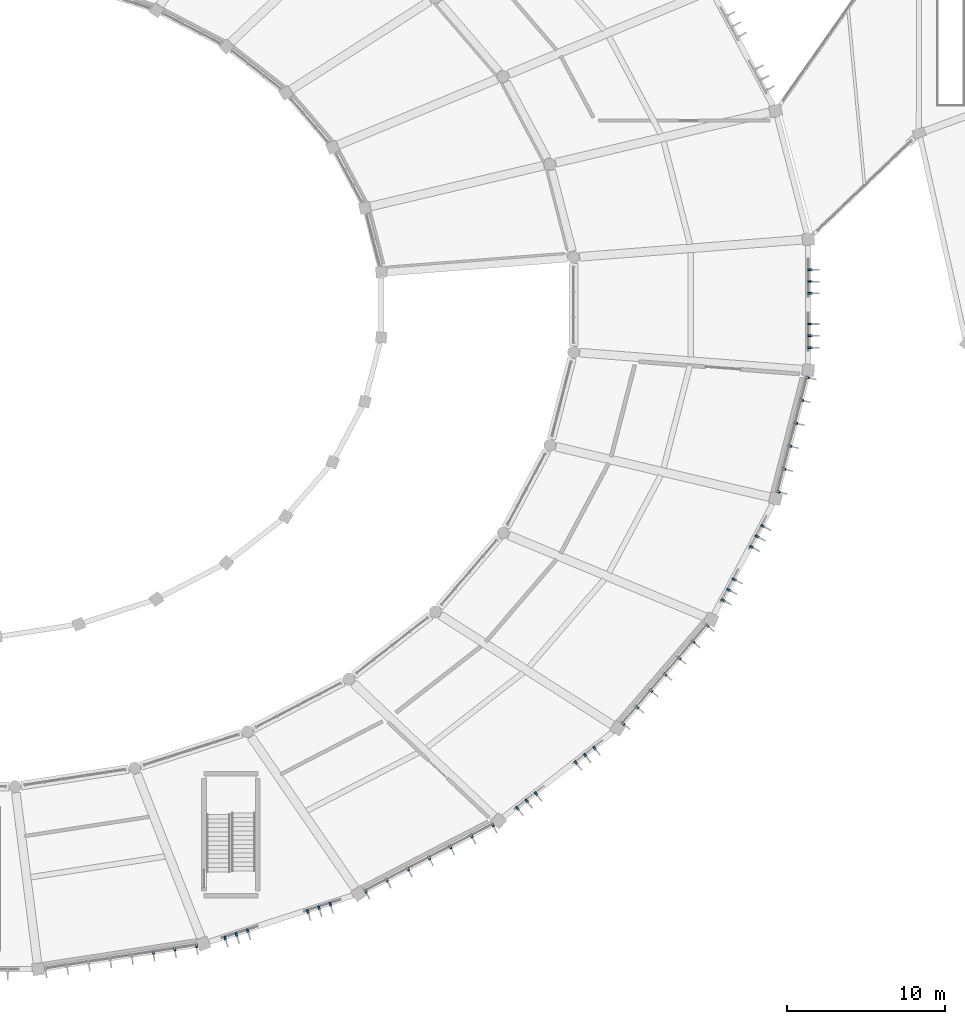
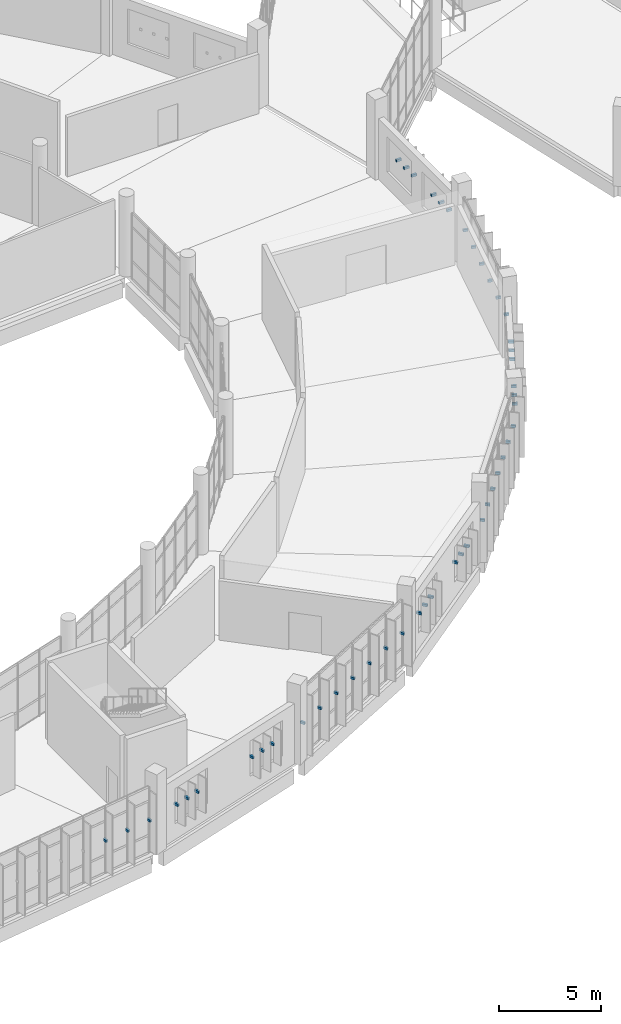
# One storey, part 141 of 179: 47 discrete accessories.
"""IFC4 building model written with IfcOpenShell, lengths in metres."""

from ifc_helpers import new_model, si_unit, direction, frame, origin, origin_2d, place, context, subcontext, project, spatial, rectangle, extrude, material, type_object, element, save


model = new_model("IFC4")

# Units and contexts
model_context = context("Model", 3, precision=1e-05, world=origin(), true_north=direction((0.0, 1.0)))
body_context = subcontext(model_context, "Body", "Model", "MODEL_VIEW")
ifc_project = project(units=[si_unit("LENGTHUNIT", "METRE"), si_unit("AREAUNIT", "SQUARE_METRE"), si_unit("VOLUMEUNIT", "CUBIC_METRE"), si_unit("PLANEANGLEUNIT", "RADIAN"), si_unit("MASSUNIT", "GRAM", prefix="KILO")], contexts=[model_context])

# Site, building, storey
site_placement = place(None, origin())
site = spatial("IfcSite", under=ifc_project, at=site_placement, CompositionType="ELEMENT")
building_placement = place(site_placement, origin())
building = spatial("IfcBuilding", under=site, at=building_placement, Name="Corvandel Quay Wholesale Market", CompositionType="ELEMENT")
storey_placement = place(building_placement, frame((0.0, 0.0, 6.0)))
storey = spatial("IfcBuildingStorey", under=building, at=storey_placement, Name="L01", CompositionType="ELEMENT", Elevation=6.0)

# Discrete accessories
ifc_material = material(Name="Austenitic stainless steel Grade 316", Category="steel")
discrete_accessory_type = type_object("IfcDiscreteAccessoryType", Name="Stainless Solar Fin Fixing Bracket BRK01", PredefinedType="USERDEFINED", material=ifc_material)
for number, where, z_axis, x_axis, name in (
    (1, (126.589111328125, 1.064208984375, 1.9052734375), (0.0, 0.0, 1.0), (-0.152813355565, 0.98825506746, 0.0), "Fin Bracket 0155"),
    (2, (127.9521484375, 1.27490234375, 1.9052734375), (0.0, 0.0, 1.0), (-0.152813355565, 0.98825506746, 0.0), "Fin Bracket 0156"),
    (3, (129.3154296875, 1.48583984375, 1.9052734375), (0.0, 0.0, 1.0), (-0.152813355565, 0.98825506746, 0.0), "Fin Bracket 0157"),
):
    element("IfcDiscreteAccessory", number, at=place(storey_placement, frame(where, z_axis=z_axis, x_axis=x_axis)), inside=storey, type_object=discrete_accessory_type, Name=name, ObjectType="BRACKET", PredefinedType="USERDEFINED", context=body_context, shape_type="SweptSolid", body=[
        extrude(rectangle(XDim=0.239990234375, YDim=0.1201171875, at=origin_2d()), origin(), (0.0, 0.0, 1.0), 0.139892578125),
    ])
for number, where, z_axis, x_axis, name in (
    (4, (131.13330078125, 1.9541015625, 1.93017578125), (0.0, 0.0, 1.0), (-0.306692204733, 0.951808747363, 0.0), "Fin Bracket 0173"),
    (5, (131.84716796875, 2.18408203125, 1.93017578125), (0.0, 0.0, 1.0), (-0.306692204733, 0.951808747363, 0.0), "Fin Bracket 0174"),
    (6, (132.56103515625, 2.414306640625, 1.93017578125), (0.0, 0.0, 1.0), (-0.306692204733, 0.951808747363, 0.0), "Fin Bracket 0175"),
    (7, (136.35400390625, 3.635986328125, 1.93017578125), (0.0, 0.0, 1.0), (-0.306692204733, 0.951808747363, 0.0), "Fin Bracket 0176"),
    (8, (137.06787109375, 3.865966796875, 1.93017578125), (0.0, 0.0, 1.0), (-0.306692204733, 0.951808747363, 0.0), "Fin Bracket 0177"),
    (9, (137.78173828125, 4.095947265625, 1.93017578125), (0.0, 0.0, 1.0), (-0.306692204733, 0.951808747363, 0.0), "Fin Bracket 0178"),
):
    element("IfcDiscreteAccessory", number, at=place(storey_placement, frame(where, z_axis=z_axis, x_axis=x_axis)), inside=storey, type_object=discrete_accessory_type, Name=name, ObjectType="BRACKET", PredefinedType="USERDEFINED", context=body_context, shape_type="SweptSolid", body=[
        extrude(rectangle(XDim=0.280029296875, YDim=0.1201171875, at=origin_2d()), origin(), (0.0, 0.0, 1.0), 0.139892578125),
    ])
for number, where, z_axis, x_axis, name in (
    (10, (140.006103515625, 4.934326171875, 1.9052734375), (0.0, 0.0, 1.0), (-0.461129250378, 0.887332978338, 0.0), "Fin Bracket 0189"),
    (11, (141.346923828125, 5.631103515625, 1.9052734375), (0.0, 0.0, 1.0), (-0.461129250378, 0.887332978338, 0.0), "Fin Bracket 0190"),
    (12, (142.687744140625, 6.327880859375, 1.9052734375), (0.0, 0.0, 1.0), (-0.461129250378, 0.887332978338, 0.0), "Fin Bracket 0191"),
    (13, (144.02880859375, 7.02490234375, 1.9052734375), (0.0, 0.0, 1.0), (-0.461129250378, 0.887332978338, 0.0), "Fin Bracket 0192"),
    (14, (145.36962890625, 7.7216796875, 1.9052734375), (0.0, 0.0, 1.0), (-0.461129250378, 0.887332978338, 0.0), "Fin Bracket 0193"),
    (15, (146.71044921875, 8.41845703125, 1.9052734375), (0.0, 0.0, 1.0), (-0.461129250378, 0.887332978338, 0.0), "Fin Bracket 0194"),
    (16, (148.051513671875, 9.115234375, 1.9052734375), (0.0, 0.0, 1.0), (-0.461129250378, 0.887332978338, 0.0), "Fin Bracket 0195"),
):
    element("IfcDiscreteAccessory", number, at=place(storey_placement, frame(where, z_axis=z_axis, x_axis=x_axis)), inside=storey, type_object=discrete_accessory_type, Name=name, ObjectType="BRACKET", PredefinedType="USERDEFINED", context=body_context, shape_type="SweptSolid", body=[
        extrude(rectangle(XDim=0.239990234375, YDim=0.1201171875, at=origin_2d()), origin(), (0.0, 0.0, 1.0), 0.139892578125),
    ])
for number, where, z_axis, x_axis, name in (
    (17, (149.605224609375, 10.1689453125, 1.93017578125), (0.0, 0.0, 1.0), (-0.614009720373, 0.789298462742, 0.0), "Fin Bracket 0204"),
    (18, (150.197265625, 10.62939453125, 1.93017578125), (0.0, 0.0, 1.0), (-0.614009720373, 0.789298462742, 0.0), "Fin Bracket 0205"),
    (19, (150.789306640625, 11.08984375, 1.93017578125), (0.0, 0.0, 1.0), (-0.614009720373, 0.789298462742, 0.0), "Fin Bracket 0206"),
    (20, (153.30712890625, 13.048583984375, 1.93017578125), (0.0, 0.0, 1.0), (-0.614009720373, 0.789298462742, 0.0), "Fin Bracket 0207"),
    (21, (153.899169921875, 13.5087890625, 1.93017578125), (0.0, 0.0, 1.0), (-0.614009720373, 0.789298462742, 0.0), "Fin Bracket 0208"),
    (22, (154.4912109375, 13.969482421875, 1.93017578125), (0.0, 0.0, 1.0), (-0.614009720373, 0.789298462742, 0.0), "Fin Bracket 0209"),
):
    element("IfcDiscreteAccessory", number, at=place(storey_placement, frame(where, z_axis=z_axis, x_axis=x_axis)), inside=storey, type_object=discrete_accessory_type, Name=name, ObjectType="BRACKET", PredefinedType="USERDEFINED", context=body_context, shape_type="SweptSolid", body=[
        extrude(rectangle(XDim=0.280029296875, YDim=0.1201171875, at=origin_2d()), origin(), (0.0, 0.0, 1.0), 0.139892578125),
    ])
for number, where, z_axis, x_axis, name in (
    (23, (156.28369140625, 15.529296875, 1.9052734375), (0.0, 0.0, 1.0), (-0.758589401976, 0.651568967347, 0.0), "Fin Bracket 0223"),
    (24, (157.1708984375, 16.56201171875, 1.9052734375), (0.0, 0.0, 1.0), (-0.758589401976, 0.651568967347, 0.0), "Fin Bracket 0224"),
    (25, (158.057861328125, 17.5947265625, 1.9052734375), (0.0, 0.0, 1.0), (-0.758589401976, 0.651568967347, 0.0), "Fin Bracket 0225"),
    (26, (158.945068359375, 18.62744140625, 1.9052734375), (0.0, 0.0, 1.0), (-0.758589401976, 0.651568967347, 0.0), "Fin Bracket 0226"),
    (27, (159.83203125, 19.66015625, 1.9052734375), (0.0, 0.0, 1.0), (-0.758589401976, 0.651568967347, 0.0), "Fin Bracket 0227"),
    (28, (160.71923828125, 20.69287109375, 1.9052734375), (0.0, 0.0, 1.0), (-0.758589401976, 0.651568967347, 0.0), "Fin Bracket 0228"),
    (29, (161.606201171875, 21.7255859375, 1.9052734375), (0.0, 0.0, 1.0), (-0.758589401976, 0.651568967347, 0.0), "Fin Bracket 0229"),
):
    element("IfcDiscreteAccessory", number, at=place(storey_placement, frame(where, z_axis=z_axis, x_axis=x_axis)), inside=storey, type_object=discrete_accessory_type, Name=name, ObjectType="BRACKET", PredefinedType="USERDEFINED", context=body_context, shape_type="SweptSolid", body=[
        extrude(rectangle(XDim=0.239990234375, YDim=0.1201171875, at=origin_2d()), origin(), (0.0, 0.0, 1.0), 0.139892578125),
    ])
for number, where, z_axis, x_axis, name in (
    (30, (162.60986328125, 23.312255859375, 1.93017578125), (0.0, 0.0, 1.0), (-0.882619624736, 0.470087862033, 0.0), "Fin Bracket 0234"),
    (31, (162.96240234375, 23.97412109375, 1.93017578125), (0.0, 0.0, 1.0), (-0.882619624736, 0.470087862033, 0.0), "Fin Bracket 0235"),
    (32, (163.31494140625, 24.63623046875, 1.93017578125), (0.0, 0.0, 1.0), (-0.882619624736, 0.470087862033, 0.0), "Fin Bracket 0236"),
    (33, (164.40576171875, 26.683837890625, 1.93017578125), (0.0, 0.0, 1.0), (-0.882619624736, 0.470087862033, 0.0), "Fin Bracket 0237"),
    (34, (164.75830078125, 27.345703125, 1.93017578125), (0.0, 0.0, 1.0), (-0.882619624736, 0.470087862033, 0.0), "Fin Bracket 0238"),
    (35, (165.11083984375, 28.0078125, 1.93017578125), (0.0, 0.0, 1.0), (-0.882619624736, 0.470087862033, 0.0), "Fin Bracket 0239"),
):
    element("IfcDiscreteAccessory", number, at=place(storey_placement, frame(where, z_axis=z_axis, x_axis=x_axis)), inside=storey, type_object=discrete_accessory_type, Name=name, ObjectType="BRACKET", PredefinedType="USERDEFINED", context=body_context, shape_type="SweptSolid", body=[
        extrude(rectangle(XDim=0.280029296875, YDim=0.1201171875, at=origin_2d()), origin(), (0.0, 0.0, 1.0), 0.139892578125),
    ])
for number, where, z_axis, x_axis, name in (
    (36, (166.094482421875, 30.170166015625, 1.9052734375), (0.0, 0.0, 1.0), (-0.968843057437, 0.247675453076, 0.0), "Fin Bracket 0246"),
    (37, (166.465087890625, 31.618408203125, 1.9052734375), (0.0, 0.0, 1.0), (-0.968843057437, 0.247675453076, 0.0), "Fin Bracket 0247"),
    (38, (166.83544921875, 33.06689453125, 1.9052734375), (0.0, 0.0, 1.0), (-0.968843057437, 0.247675453076, 0.0), "Fin Bracket 0248"),
    (39, (167.205810546875, 34.515380859375, 1.9052734375), (0.0, 0.0, 1.0), (-0.968843057437, 0.247675453076, 0.0), "Fin Bracket 0249"),
    (40, (167.576171875, 35.963623046875, 1.9052734375), (0.0, 0.0, 1.0), (-0.968843057437, 0.247675453076, 0.0), "Fin Bracket 0250"),
    (41, (167.946533203125, 37.412109375, 1.9052734375), (0.0, 0.0, 1.0), (-0.968843057437, 0.247675453076, 0.0), "Fin Bracket 0251"),
):
    element("IfcDiscreteAccessory", number, at=place(storey_placement, frame(where, z_axis=z_axis, x_axis=x_axis)), inside=storey, type_object=discrete_accessory_type, Name=name, ObjectType="BRACKET", PredefinedType="USERDEFINED", context=body_context, shape_type="SweptSolid", body=[
        extrude(rectangle(XDim=0.239990234375, YDim=0.1201171875, at=origin_2d()), origin(), (0.0, 0.0, 1.0), 0.139892578125),
    ])
for number, where, z_axis, x_axis, name in (
    (42, (168.10009765625, 39.282958984375, 1.93017578125), (0.0, 0.0, 1.0), (1.0, 0.0, 0.0), "Fin Bracket 0252"),
    (43, (168.10009765625, 40.032958984375, 1.93017578125), (0.0, 0.0, 1.0), (1.0, 0.0, 0.0), "Fin Bracket 0253"),
    (44, (168.10009765625, 40.782958984375, 1.93017578125), (0.0, 0.0, 1.0), (1.0, 0.0, 0.0), "Fin Bracket 0254"),
    (45, (168.10009765625, 42.717041015625, 1.93017578125), (0.0, 0.0, 1.0), (1.0, 0.0, 0.0), "Fin Bracket 0255"),
    (46, (168.10009765625, 43.467041015625, 1.93017578125), (0.0, 0.0, 1.0), (1.0, 0.0, 0.0), "Fin Bracket 0256"),
    (47, (168.10009765625, 44.217041015625, 1.93017578125), (0.0, 0.0, 1.0), (1.0, 0.0, 0.0), "Fin Bracket 0257"),
):
    element("IfcDiscreteAccessory", number, at=place(storey_placement, frame(where, z_axis=z_axis, x_axis=x_axis)), inside=storey, type_object=discrete_accessory_type, Name=name, ObjectType="BRACKET", PredefinedType="USERDEFINED", context=body_context, shape_type="SweptSolid", body=[
        extrude(rectangle(XDim=0.280029296875, YDim=0.1201171875, at=origin_2d()), origin(), (0.0, 0.0, 1.0), 0.139892578125),
    ])

save(model, "model.ifc")
